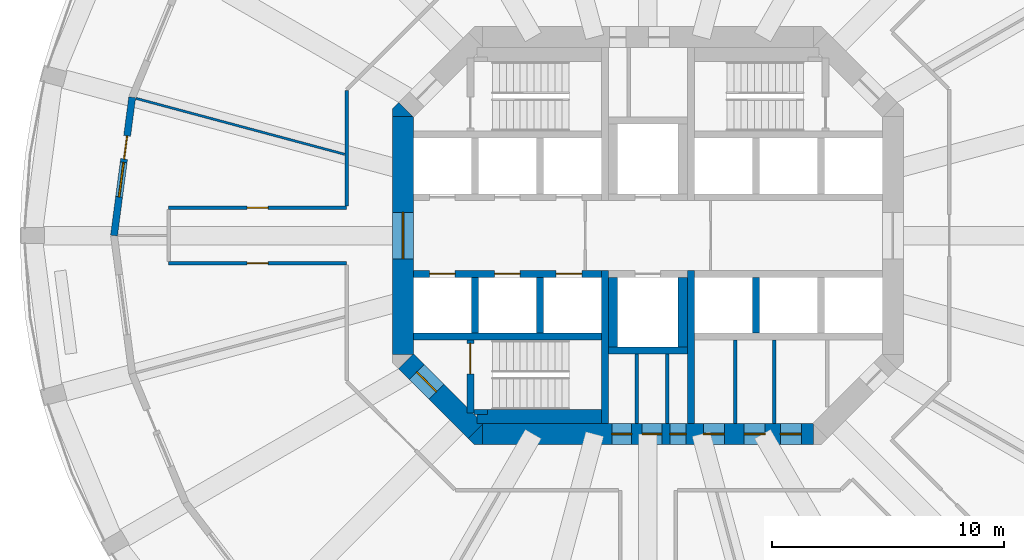
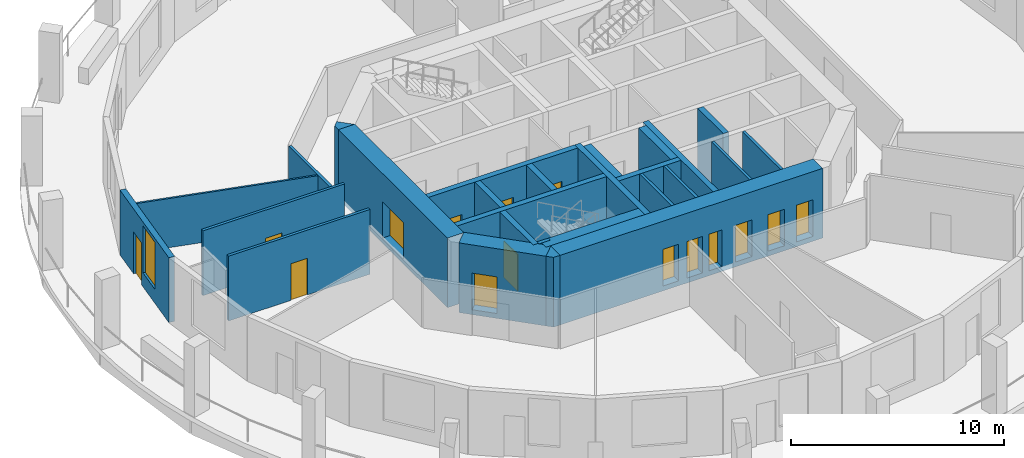
# One storey, part 3 of 9: 27 walls, 15 doors, 1 window, 16 openings.
"""IFC4 building model written with IfcOpenShell, lengths in metres."""

import ifcopenshell
import ifcopenshell.guid

model = None  # the IFC model being written
_history = None  # IfcOwnerHistory: only IFC2X3 demands one
_inside = {}  # id of a spatial element -> (the spatial element, [elements in it])
_under = {}  # id of a project, library or spatial element -> (it, [spatial elements below it])
_declared = {}  # id of a project -> (the project, [libraries it declares])
_typed = {}  # id of a type object -> (the type object, [elements of that type])
_made_of = {}  # id of a material, layer set ... -> (it, [elements and type objects made of it])


def new_model(schema):
    """Start an empty IFC model of exactly this schema.

    Asked for "IFC4X3", IfcOpenShell would pick the latest addendum, in which some entities
    have other attributes; the version numbers below select the first issue.
    IFC2X3 requires an IfcOwnerHistory on every rooted entity: one is made here for all.
    """
    global model, _history
    if schema == "IFC4X3":
        model = ifcopenshell.file(schema_version=(4, 3, 0, 0))
    else:
        model = ifcopenshell.file(schema=schema)
    _inside.clear()
    _under.clear()
    _declared.clear()
    _typed.clear()
    _made_of.clear()
    _history = None
    if model.schema == "IFC2X3":
        org = make("IfcOrganization", Name="unknown")
        user = make(
            "IfcPersonAndOrganization",
            ThePerson=make("IfcPerson", FamilyName="unknown"),
            TheOrganization=org,
        )
        app = make(
            "IfcApplication",
            ApplicationDeveloper=org,
            Version="unknown",
            ApplicationFullName="unknown",
            ApplicationIdentifier="unknown",
        )
        _history = make(
            "IfcOwnerHistory",
            OwningUser=user,
            OwningApplication=app,
            ChangeAction="ADDED",
            CreationDate=0,
        )
    return model


def make(cls, **values):
    """One entity of the class cls with the attributes given. An attribute that is None is left unset."""
    return model.create_entity(
        cls, **{name: value for name, value in values.items() if value is not None}
    )


def rooted(cls, **values):
    """An entity with a GlobalId (a new one), such as an element, a storey or a relation."""
    return make(cls, GlobalId=ifcopenshell.guid.new(), OwnerHistory=_history, **values)


def si_unit(unit_type, name, prefix=None):
    """IfcSIUnit, for example si_unit("LENGTHUNIT", "METRE", prefix="MILLI")."""
    return make("IfcSIUnit", UnitType=unit_type, Prefix=prefix, Name=name)


def assignment(units):
    """IfcUnitAssignment: the units of a project."""
    return None if units is None else make("IfcUnitAssignment", Units=units)


def point(xyz):
    """IfcCartesianPoint."""
    return None if xyz is None else make("IfcCartesianPoint", Coordinates=xyz)


def direction(xyz):
    """IfcDirection."""
    return None if xyz is None else make("IfcDirection", DirectionRatios=xyz)


def frame(location, z_axis=None, x_axis=None):
    """IfcAxis2Placement3D, a coordinate frame: its origin and axes. An axis left out is left unset."""
    return make(
        "IfcAxis2Placement3D",
        Location=point(location),
        Axis=direction(z_axis),
        RefDirection=direction(x_axis),
    )


def frame_2d(location, x_axis=None):
    """IfcAxis2Placement2D, a coordinate frame in the plane: its origin and x axis."""
    return make(
        "IfcAxis2Placement2D", Location=point(location), RefDirection=direction(x_axis)
    )


def origin():
    """The frame at (0, 0, 0) with its axes left unset."""
    return frame((0.0, 0.0, 0.0))


def place(relative_to, where):
    """IfcLocalPlacement: puts the frame where relative to a parent placement (None: the world)."""
    return make(
        "IfcLocalPlacement", PlacementRelTo=relative_to, RelativePlacement=where
    )


def context(
    kind, dimensions, precision=None, world=None, true_north=None, identifier=None
):
    """IfcGeometricRepresentationContext, for example the 3D "Model" context."""
    return make(
        "IfcGeometricRepresentationContext",
        ContextIdentifier=identifier,
        ContextType=kind,
        CoordinateSpaceDimension=dimensions,
        Precision=precision,
        WorldCoordinateSystem=world,
        TrueNorth=true_north,
    )


def subcontext(parent, identifier, kind, view, scale=None):
    """IfcGeometricRepresentationSubContext, for example "Body" below "Model"."""
    return make(
        "IfcGeometricRepresentationSubContext",
        ContextIdentifier=identifier,
        ContextType=kind,
        ParentContext=parent,
        TargetScale=scale,
        TargetView=view,
    )


def project(units=None, contexts=None):
    """IfcProject with its units and contexts."""
    return rooted(
        "IfcProject",
        Name="project",
        RepresentationContexts=contexts,
        UnitsInContext=assignment(units),
    )


def spatial(cls, under=None, at=None, **own):
    """A site, building, storey or space (cls), placed at a placement, below another one or the project."""
    s = rooted(cls, ObjectPlacement=at, **own)
    if under is not None:
        _under.setdefault(under.id(), (under, []))[1].append(s)
    return s


def polyline(points):
    """IfcPolyline through the points."""
    return make("IfcPolyline", Points=[point(p) for p in points])


def profile(cls, at=None, kind="AREA", **sizes):
    """A parametric profile (cls). Its sizes go by their IFC names, for example OverallWidth=200.0."""
    return make(cls, ProfileType=kind, Position=at, **sizes)


def rectangle(**sizes):
    """IfcRectangleProfileDef."""
    return profile("IfcRectangleProfileDef", **sizes)


def outline(outer, holes=None, kind="AREA"):
    """IfcArbitraryClosedProfileDef: a profile drawn as a closed curve; with holes, ...WithVoids."""
    if holes is None:
        return make("IfcArbitraryClosedProfileDef", ProfileType=kind, OuterCurve=outer)
    return make(
        "IfcArbitraryProfileDefWithVoids",
        ProfileType=kind,
        OuterCurve=outer,
        InnerCurves=holes,
    )


def extrude(swept, where, along, depth):
    """IfcExtrudedAreaSolid: the profile swept, set in the frame where, extruded along a direction by depth."""
    return make(
        "IfcExtrudedAreaSolid",
        SweptArea=swept,
        Position=where,
        ExtrudedDirection=direction(along),
        Depth=depth,
    )


def shape(context_of_items, identifier, shape_type, items):
    """IfcShapeRepresentation: the items that make up one representation, for example the "Body"."""
    return make(
        "IfcShapeRepresentation",
        ContextOfItems=context_of_items,
        RepresentationIdentifier=identifier,
        RepresentationType=shape_type,
        Items=items,
    )


def material(Name=None, Category=None):
    """IfcMaterial."""
    return make("IfcMaterial", Name=Name, Category=Category)


def layer(
    of_material, thickness, ventilated=None, Name=None, Category=None, Priority=None
):
    """IfcMaterialLayer: one layer of a wall or slab, of a material (None: an air gap)."""
    return make(
        "IfcMaterialLayer",
        Material=of_material,
        LayerThickness=thickness,
        IsVentilated=ventilated,
        Name=Name,
        Category=Category,
        Priority=Priority,
    )


def layer_set(layers, Name=None):
    """IfcMaterialLayerSet."""
    return make("IfcMaterialLayerSet", MaterialLayers=layers, LayerSetName=Name)


def made_of(thing, what):
    """Note that an element or type object is made of a material, layer set ...; save() writes the relation."""
    if what is not None:
        _made_of.setdefault(what.id(), (what, []))[1].append(thing)
    return thing


def type_object(cls, material=None, **own):
    """A type object (cls), such as IfcWallType, which elements share."""
    return made_of(rooted(cls, **own), material)


def element(
    cls,
    number,
    at=None,
    inside=None,
    cuts=None,
    type_object=None,
    material=None,
    context=None,
    identifier="Body",
    shape_type=None,
    held_by="IfcProductDefinitionShape",
    body=None,
    shapes=None,
    **own,
):
    """One element of the class cls, such as IfcWall. Its Tag is "e" and its number.

    at: its placement. inside: the storey or other place that contains it. cuts: it is an
    opening in that element (IfcRelVoidsElement). A single representation is given by context,
    identifier, shape_type and body (its items); several are given by shapes. held_by: the class
    of the entity that holds the representations. save() writes the other relations.
    """
    e = rooted(cls, Tag="e%d" % number, ObjectPlacement=at, **own)
    if body is not None:
        shapes = [shape(context, identifier, shape_type, body)]
    if shapes is not None:
        e.Representation = make(held_by, Representations=shapes)
    if inside is not None:
        _inside.setdefault(inside.id(), (inside, []))[1].append(e)
    if cuts is not None:
        rooted(
            "IfcRelVoidsElement", RelatingBuildingElement=cuts, RelatedOpeningElement=e
        )
    if type_object is not None:
        _typed.setdefault(type_object.id(), (type_object, []))[1].append(e)
    return made_of(e, material)


def fill(opening, filler):
    """IfcRelFillsElement: the door or window that sits in an opening."""
    return rooted(
        "IfcRelFillsElement",
        RelatingOpeningElement=opening,
        RelatedBuildingElement=filler,
    )


def aggregate(whole, parts):
    """IfcRelAggregates: a whole, such as a stair, and the parts it consists of."""
    return rooted("IfcRelAggregates", RelatingObject=whole, RelatedObjects=parts)


def save(model, path):
    """Write the relations noted so far, then the file.

    IfcRelAggregates (storeys below a building ...), IfcRelContainedInSpatialStructure (elements
    in a storey), IfcRelDefinesByType, IfcRelAssociatesMaterial and IfcRelDeclares: one each for
    every whole, place, type object, material and project.
    """
    for whole, parts in _under.values():
        aggregate(whole, parts)
    for where, things in _inside.values():
        rooted(
            "IfcRelContainedInSpatialStructure",
            RelatedElements=things,
            RelatingStructure=where,
        )
    for kind, things in _typed.values():
        rooted("IfcRelDefinesByType", RelatedObjects=things, RelatingType=kind)
    for what, things in _made_of.values():
        rooted("IfcRelAssociatesMaterial", RelatedObjects=things, RelatingMaterial=what)
    for by, libraries in _declared.values():
        rooted("IfcRelDeclares", RelatingContext=by, RelatedDefinitions=libraries)
    model.write(path)


model = new_model("IFC4")

# Units and contexts
model_context = context("Model", 3, precision=1e-05, world=origin(), true_north=direction((0.0, 1.0)))
body_context = subcontext(model_context, "Body", "Model", "MODEL_VIEW")
ifc_project = project(units=[si_unit("LENGTHUNIT", "METRE"), si_unit("AREAUNIT", "SQUARE_METRE"), si_unit("VOLUMEUNIT", "CUBIC_METRE"), si_unit("PLANEANGLEUNIT", "RADIAN"), si_unit("MASSUNIT", "GRAM", prefix="KILO")], contexts=[model_context])

# Site, building, storey
site_placement = place(None, origin())
site = spatial("IfcSite", under=ifc_project, at=site_placement, CompositionType="ELEMENT")
building_placement = place(site_placement, origin())
building = spatial("IfcBuilding", under=site, at=building_placement, Name="Torre Triforio", CompositionType="ELEMENT")
storey_placement = place(building_placement, frame((0.0, 0.0, 55.0)))
storey = spatial("IfcBuildingStorey", under=building, at=storey_placement, Name="L11", CompositionType="ELEMENT", Elevation=55.0)

# Walls
ifc_material_1 = material(Name="Concrete C60", Category="concrete")
ifc_layer_1 = layer(ifc_material_1, 0.300048828125)
ifc_layer_set_1 = layer_set([ifc_layer_1], Name="Concrete C60")
wall_type_1 = type_object("IfcWallType", Name="Core wall 300 mm C60 EI 120", PredefinedType="SHEAR", material=ifc_layer_set_1)
for number, where, z_axis, x_axis, name in (
    (1, (-1.85009765625, -8.10009765625, 0.0), (0.0, 0.0, 1.0), (0.0, 1.0, 0.0), "Core wall"),
    (2, (1.85009765625, -8.10009765625, 0.0), (0.0, 0.0, 1.0), (0.0, 1.0, 0.0), "Core wall"),
):
    element("IfcWall", number, at=place(storey_placement, frame(where, z_axis=z_axis, x_axis=x_axis)), inside=storey, type_object=wall_type_1, Name=name, PredefinedType="SHEAR", context=body_context, shape_type="SweptSolid", body=[
        extrude(rectangle(XDim=6.60009765625, YDim=0.300048828125, at=frame_2d((3.300048828125, 0.0))), origin(), (0.0, 0.0, 1.0), 3.719970703125),
    ])

# Wall, openings, doors
ifc_layer_2 = layer(ifc_material_1, 0.89990234375)
ifc_layer_set_2 = layer_set([ifc_layer_2], Name="Concrete C60")
wall_type_2 = type_object("IfcWallType", Name="Core wall 900 mm C60 EI 120", PredefinedType="SHEAR", material=ifc_layer_set_2)
wall_1_placement = place(storey_placement, frame((-7.1298828125, -8.550048828125, -0.280029296875), z_axis=(0.0, 0.0, 1.0), x_axis=(1.0, 0.0, 0.0)))
wall_1 = element("IfcWall", 3, at=wall_1_placement, inside=storey, type_object=wall_type_2, Name="Core wall", PredefinedType="SHEAR", context=body_context, shape_type="SweptSolid", body=[
    extrude(rectangle(XDim=14.259765625, YDim=0.89990234375, at=frame_2d((7.1298828125, 0.0))), origin(), (0.0, 0.0, 1.0), 4.0),
])
opening_1_placement = place(wall_1_placement, frame((8.080078125, 0.0, 0.280029296875)))
opening_1 = element("IfcOpeningElement", 4, at=opening_1_placement, cuts=wall_1, Name="Opening RISER-S", PredefinedType="OPENING", context=body_context, shape_type="SweptSolid", body=[
    extrude(rectangle(XDim=0.699951171875, YDim=2.10009765625, at=frame_2d((0.35009765625, 1.050048828125))), frame((0.0, 0.4599609375, 0.0), z_axis=(0.0, -1.0, 0.0), x_axis=(1.0, 0.0, 0.0)), (0.0, 0.0, 1.0), 0.919921875),
])
opening_2_placement = place(wall_1_placement, frame((5.580078125, 0.0, 0.280029296875)))
opening_2 = element("IfcOpeningElement", 5, at=opening_2_placement, cuts=wall_1, Name="Opening SW-01A", PredefinedType="OPENING", context=body_context, shape_type="SweptSolid", body=[
    extrude(rectangle(XDim=0.85009765625, YDim=2.10009765625, at=frame_2d((0.425048828125, 1.050048828125))), frame((0.0, 0.4599609375, 0.0), z_axis=(0.0, -1.0, 0.0), x_axis=(1.0, 0.0, 0.0)), (0.0, 0.0, 1.0), 0.919921875),
])
opening_3_placement = place(wall_1_placement, frame((6.8798828125, 0.0, 0.280029296875)))
opening_3 = element("IfcOpeningElement", 6, at=opening_3_placement, cuts=wall_1, Name="Opening SW-02", PredefinedType="OPENING", context=body_context, shape_type="SweptSolid", body=[
    extrude(rectangle(XDim=0.85009765625, YDim=2.10009765625, at=frame_2d((0.425048828125, 1.050048828125))), frame((0.0, 0.4599609375, 0.0), z_axis=(0.0, -1.0, 0.0), x_axis=(1.0, 0.0, 0.0)), (0.0, 0.0, 1.0), 0.919921875),
])
opening_4_placement = place(wall_1_placement, frame((9.521484375, 0.0, 0.280029296875)))
opening_4 = element("IfcOpeningElement", 7, at=opening_4_placement, cuts=wall_1, Name="Opening SE-01", PredefinedType="OPENING", context=body_context, shape_type="SweptSolid", body=[
    extrude(rectangle(XDim=0.89990234375, YDim=2.10009765625, at=frame_2d((0.449951171875, 1.050048828125))), frame((0.0, 0.4599609375, 0.0), z_axis=(0.0, -1.0, 0.0), x_axis=(1.0, 0.0, 0.0)), (0.0, 0.0, 1.0), 0.919921875),
])
opening_5_placement = place(wall_1_placement, frame((11.278076171875, 0.0, 0.280029296875)))
opening_5 = element("IfcOpeningElement", 8, at=opening_5_placement, cuts=wall_1, Name="Opening SE-02", PredefinedType="OPENING", context=body_context, shape_type="SweptSolid", body=[
    extrude(rectangle(XDim=0.89990234375, YDim=2.10009765625, at=frame_2d((0.449951171875, 1.050048828125))), frame((0.0, 0.4599609375, 0.0), z_axis=(0.0, -1.0, 0.0), x_axis=(1.0, 0.0, 0.0)), (0.0, 0.0, 1.0), 0.919921875),
])
opening_6_placement = place(wall_1_placement, frame((12.840087890625, 0.0, 0.280029296875)))
opening_6 = element("IfcOpeningElement", 9, at=opening_6_placement, cuts=wall_1, Name="Opening SE-03", PredefinedType="OPENING", context=body_context, shape_type="SweptSolid", body=[
    extrude(rectangle(XDim=0.89990234375, YDim=2.10009765625, at=frame_2d((0.449951171875, 1.050048828125))), frame((0.0, 0.4599609375, 0.0), z_axis=(0.0, -1.0, 0.0), x_axis=(1.0, 0.0, 0.0)), (0.0, 0.0, 1.0), 0.919921875),
])
ifc_material_2 = material(Name="Hollow metal fire door leaf")
door_type_1 = type_object("IfcDoorType", Name="Plant room door 900 x 2100 EI 60", OperationType="NOTDEFINED", PredefinedType="DOOR", material=ifc_material_2)
door_1_placement = place(opening_4_placement, origin())
door_1 = element("IfcDoor", 10, at=door_1_placement, inside=storey, type_object=door_type_1, Name="Core door SE-01", OperationType="SINGLE_SWING_LEFT", OverallHeight=2.10009765625, OverallWidth=0.89990234375, PredefinedType="DOOR", context=body_context, shape_type="SweptSolid", body=[
    extrude(rectangle(XDim=0.89990234375, YDim=2.10009765625, at=frame_2d((0.449951171875, 1.050048828125))), frame((0.0, 0.02490234375, 0.0), z_axis=(0.0, -1.0, 0.0), x_axis=(1.0, 0.0, 0.0)), (0.0, 0.0, 1.0), 0.050048828125),
])
fill(opening_4, door_1)
door_type_2 = type_object("IfcDoorType", Name="Riser door 700 x 2100 EI 60", OperationType="NOTDEFINED", PredefinedType="DOOR", material=ifc_material_2)
door_2_placement = place(opening_1_placement, origin())
door_2 = element("IfcDoor", 11, at=door_2_placement, inside=storey, type_object=door_type_2, Name="Core door RISER-S", OperationType="SINGLE_SWING_RIGHT", OverallHeight=2.10009765625, OverallWidth=0.699951171875, PredefinedType="DOOR", context=body_context, shape_type="SweptSolid", body=[
    extrude(rectangle(XDim=0.699951171875, YDim=2.10009765625, at=frame_2d((0.35009765625, 1.050048828125))), frame((0.0, 0.02490234375, 0.0), z_axis=(0.0, -1.0, 0.0), x_axis=(1.0, 0.0, 0.0)), (0.0, 0.0, 1.0), 0.050048828125),
])
fill(opening_1, door_2)
door_type_3 = type_object("IfcDoorType", Name="Room door 850 x 2100 EI 60", OperationType="NOTDEFINED", PredefinedType="DOOR", material=ifc_material_2)
door_3_placement = place(opening_2_placement, origin())
door_3 = element("IfcDoor", 12, at=door_3_placement, inside=storey, type_object=door_type_3, Name="Core door SW-01", OperationType="SINGLE_SWING_RIGHT", OverallHeight=2.10009765625, OverallWidth=0.85009765625, PredefinedType="DOOR", context=body_context, shape_type="SweptSolid", body=[
    extrude(rectangle(XDim=0.85009765625, YDim=2.10009765625, at=frame_2d((0.425048828125, 1.050048828125))), frame((0.0, 0.02490234375, 0.0), z_axis=(0.0, -1.0, 0.0), x_axis=(1.0, 0.0, 0.0)), (0.0, 0.0, 1.0), 0.050048828125),
])
fill(opening_2, door_3)
door_4_placement = place(opening_3_placement, origin())
door_4 = element("IfcDoor", 13, at=door_4_placement, inside=storey, type_object=door_type_3, Name="Core door SW-02", OperationType="SINGLE_SWING_LEFT", OverallHeight=2.10009765625, OverallWidth=0.85009765625, PredefinedType="DOOR", context=body_context, shape_type="SweptSolid", body=[
    extrude(rectangle(XDim=0.85009765625, YDim=2.10009765625, at=frame_2d((0.425048828125, 1.050048828125))), frame((0.0, 0.02490234375, 0.0), z_axis=(0.0, -1.0, 0.0), x_axis=(1.0, 0.0, 0.0)), (0.0, 0.0, 1.0), 0.050048828125),
])
fill(opening_3, door_4)
door_type_4 = type_object("IfcDoorType", Name="Room door 900 x 2100 EI 60", OperationType="NOTDEFINED", PredefinedType="DOOR", material=ifc_material_2)
door_5_placement = place(opening_5_placement, origin())
door_5 = element("IfcDoor", 14, at=door_5_placement, inside=storey, type_object=door_type_4, Name="Core door SE-02", OperationType="SINGLE_SWING_LEFT", OverallHeight=2.10009765625, OverallWidth=0.89990234375, PredefinedType="DOOR", context=body_context, shape_type="SweptSolid", body=[
    extrude(rectangle(XDim=0.89990234375, YDim=2.10009765625, at=frame_2d((0.449951171875, 1.050048828125))), frame((0.0, 0.02490234375, 0.0), z_axis=(0.0, -1.0, 0.0), x_axis=(1.0, 0.0, 0.0)), (0.0, 0.0, 1.0), 0.050048828125),
])
fill(opening_5, door_5)
door_6_placement = place(opening_6_placement, origin())
door_6 = element("IfcDoor", 15, at=door_6_placement, inside=storey, type_object=door_type_4, Name="Core door SE-03", OperationType="SINGLE_SWING_LEFT", OverallHeight=2.10009765625, OverallWidth=0.89990234375, PredefinedType="DOOR", context=body_context, shape_type="SweptSolid", body=[
    extrude(rectangle(XDim=0.89990234375, YDim=2.10009765625, at=frame_2d((0.449951171875, 1.050048828125))), frame((0.0, 0.02490234375, 0.0), z_axis=(0.0, -1.0, 0.0), x_axis=(1.0, 0.0, 0.0)), (0.0, 0.0, 1.0), 0.050048828125),
])
fill(opening_6, door_6)

# Wall, opening, door
wall_2_placement = place(storey_placement, frame((-10.550048828125, -5.1298828125, -0.280029296875), z_axis=(0.0, 0.0, 1.0), x_axis=(0.0, 1.0, 0.0)))
wall_2 = element("IfcWall", 16, at=wall_2_placement, inside=storey, type_object=wall_type_2, Name="Core wall", PredefinedType="SHEAR", context=body_context, shape_type="SweptSolid", body=[
    extrude(rectangle(XDim=10.259765625, YDim=0.89990234375, at=frame_2d((5.1298828125, 0.0))), origin(), (0.0, 0.0, 1.0), 4.0),
])
opening_7_placement = place(wall_2_placement, frame((4.1298828125, 0.0, 0.280029296875)))
opening_7 = element("IfcOpeningElement", 17, at=opening_7_placement, cuts=wall_2, Name="Opening W-RING", PredefinedType="OPENING", context=body_context, shape_type="SweptSolid", body=[
    extrude(rectangle(XDim=2.0, YDim=2.10009765625, at=frame_2d((1.0, 1.050048828125))), frame((0.0, 0.4599609375, 0.0), z_axis=(0.0, -1.0, 0.0), x_axis=(1.0, 0.0, 0.0)), (0.0, 0.0, 1.0), 0.919921875),
])
door_type_5 = type_object("IfcDoorType", Name="Lobby door 2000 x 2100 EI 60", OperationType="DOUBLE_DOOR_SINGLE_SWING", PredefinedType="DOOR", material=ifc_material_2)
door_7_placement = place(opening_7_placement, origin())
door_7 = element("IfcDoor", 18, at=door_7_placement, inside=storey, type_object=door_type_5, Name="Core door W-RING", OperationType="DOUBLE_DOOR_SINGLE_SWING", OverallHeight=2.10009765625, OverallWidth=2.0, PredefinedType="DOOR", context=body_context, shape_type="SweptSolid", body=[
    extrude(rectangle(XDim=2.0, YDim=2.10009765625, at=frame_2d((1.0, 1.050048828125))), frame((0.0, 0.02490234375, 0.0), z_axis=(0.0, -1.0, 0.0), x_axis=(1.0, 0.0, 0.0)), (0.0, 0.0, 1.0), 0.050048828125),
])
fill(opening_7, door_7)

wall_3_placement = place(storey_placement, frame((-7.418212890625, -8.418212890625, -0.280029296875), z_axis=(0.0, 0.0, 1.0), x_axis=(-0.707106781187, 0.707106781187, 0.0)))
wall_3 = element("IfcWall", 19, at=wall_3_placement, inside=storey, type_object=wall_type_2, Name="Core wall", PredefinedType="SHEAR", context=body_context, shape_type="SweptSolid", body=[
    extrude(rectangle(XDim=4.24267578125, YDim=0.89990234375, at=frame_2d((2.121337890625, 0.0))), origin(), (0.0, 0.0, 1.0), 4.0),
])
opening_8_placement = place(wall_3_placement, frame((2.392578125, 0.0, 0.280029296875)))
opening_8 = element("IfcOpeningElement", 20, at=opening_8_placement, cuts=wall_3, Name="Opening ST3-EXIT", PredefinedType="OPENING", context=body_context, shape_type="SweptSolid", body=[
    extrude(rectangle(XDim=1.199951171875, YDim=2.10009765625, at=frame_2d((0.60009765625, 1.050048828125))), frame((0.0, 0.4599609375, 0.0), z_axis=(0.0, -1.0, 0.0), x_axis=(1.0, 0.0, 0.0)), (0.0, 0.0, 1.0), 0.919921875),
])
door_type_6 = type_object("IfcDoorType", Name="Stair lobby door 1200 x 2100 EI 60", OperationType="NOTDEFINED", PredefinedType="DOOR", material=ifc_material_2)
door_8_placement = place(opening_8_placement, origin())
door_8 = element("IfcDoor", 21, at=door_8_placement, inside=storey, type_object=door_type_6, Name="Core door ST3-EXIT", OperationType="SINGLE_SWING_RIGHT", OverallHeight=2.10009765625, OverallWidth=1.199951171875, PredefinedType="DOOR", context=body_context, shape_type="SweptSolid", body=[
    extrude(rectangle(XDim=1.199951171875, YDim=2.10009765625, at=frame_2d((0.60009765625, 1.050048828125))), frame((0.0, 0.02490234375, 0.0), z_axis=(0.0, -1.0, 0.0), x_axis=(1.0, 0.0, 0.0)), (0.0, 0.0, 1.0), 0.050048828125),
])
fill(opening_8, door_8)

# Walls
wall_4_placement = place(storey_placement, frame((0.0, 0.0, -0.280029296875)))
element("IfcWall", 22, at=wall_4_placement, inside=storey, type_object=wall_type_2, Name="Core wall", PredefinedType="SHEAR", context=body_context, shape_type="SweptSolid", body=[
    extrude(outline(polyline([(-7.472900390625, -9.0), (-7.736328125, -8.736328125), (-7.1298828125, -8.1298828125), (-7.1298828125, -9.0), (-7.472900390625, -9.0)])), origin(), (0.0, 0.0, 1.0), 4.0),
])
wall_5_placement = place(storey_placement, frame((0.0, 0.0, -0.280029296875)))
element("IfcWall", 23, at=wall_5_placement, inside=storey, type_object=wall_type_2, Name="Core wall", PredefinedType="SHEAR", context=body_context, shape_type="SweptSolid", body=[
    extrude(outline(polyline([(-10.736328125, 5.736328125), (-10.1298828125, 5.1298828125), (-11.0, 5.1298828125), (-11.0, 5.472900390625), (-10.736328125, 5.736328125)])), origin(), (0.0, 0.0, 1.0), 4.0),
])

# Wall, opening, door
ifc_material_3 = material(Name="Plasterboard on metal studs")
ifc_layer_3 = layer(ifc_material_3, 0.14990234375)
ifc_layer_set_3 = layer_set([ifc_layer_3], Name="Plasterboard on metal studs")
wall_type_3 = type_object("IfcWallType", Name="Corridor and tenancy wall 150 mm EI 60", PredefinedType="PARTITIONING", material=ifc_layer_set_3)
wall_6_placement = place(storey_placement, frame((-12.97509765625, -1.199951171875, 0.0), z_axis=(0.0, 0.0, 1.0), x_axis=(-1.0, 0.0, 0.0)))
wall_6 = element("IfcWall", 24, at=wall_6_placement, inside=storey, type_object=wall_type_3, Name="Partition 11", PredefinedType="PARTITIONING", context=body_context, shape_type="SweptSolid", body=[
    extrude(rectangle(XDim=7.673583984375, YDim=0.14990234375, at=frame_2d((3.8369140625, 0.0))), origin(), (0.0, 0.0, 1.0), 3.719970703125),
])
opening_9_placement = place(wall_6_placement, frame((3.386962890625, 0.0, 0.0)))
opening_9 = element("IfcOpeningElement", 25, at=opening_9_placement, cuts=wall_6, Name="Opening N3-03", PredefinedType="OPENING", context=body_context, shape_type="SweptSolid", body=[
    extrude(rectangle(XDim=0.89990234375, YDim=2.10009765625, at=frame_2d((0.449951171875, 1.050048828125))), frame((0.0, 0.0849609375, 0.0), z_axis=(0.0, -1.0, 0.0), x_axis=(1.0, 0.0, 0.0)), (0.0, 0.0, 1.0), 0.169921875),
])
ifc_material_4 = material(Name="Timber", Category="wood")
door_type_7 = type_object("IfcDoorType", Name="Door 900 x 2100 single leaf EI 30", OperationType="NOTDEFINED", PredefinedType="DOOR", material=ifc_material_4)
door_9_placement = place(opening_9_placement, origin())
door_9 = element("IfcDoor", 26, at=door_9_placement, inside=storey, type_object=door_type_7, Name="Door N3-03", OperationType="SINGLE_SWING_RIGHT", OverallHeight=2.10009765625, OverallWidth=0.89990234375, PredefinedType="DOOR", context=body_context, shape_type="SweptSolid", body=[
    extrude(rectangle(XDim=0.89990234375, YDim=2.10009765625, at=frame_2d((0.449951171875, 1.050048828125))), frame((0.0, 0.02490234375, 0.0), z_axis=(0.0, -1.0, 0.0), x_axis=(1.0, 0.0, 0.0)), (0.0, 0.0, 1.0), 0.050048828125),
])
fill(opening_9, door_9)

wall_7_placement = place(storey_placement, frame((-20.648681640625, 1.199951171875, 0.0), z_axis=(0.0, 0.0, 1.0), x_axis=(1.0, 0.0, 0.0)))
wall_7 = element("IfcWall", 27, at=wall_7_placement, inside=storey, type_object=wall_type_3, Name="Partition 13", PredefinedType="PARTITIONING", context=body_context, shape_type="SweptSolid", body=[
    extrude(rectangle(XDim=7.673583984375, YDim=0.14990234375, at=frame_2d((3.8369140625, 0.0))), origin(), (0.0, 0.0, 1.0), 3.719970703125),
])
opening_10_placement = place(wall_7_placement, frame((3.386962890625, 0.0, 0.0)))
opening_10 = element("IfcOpeningElement", 28, at=opening_10_placement, cuts=wall_7, Name="Opening N3-02", PredefinedType="OPENING", context=body_context, shape_type="SweptSolid", body=[
    extrude(rectangle(XDim=0.89990234375, YDim=2.10009765625, at=frame_2d((0.449951171875, 1.050048828125))), frame((0.0, 0.0849609375, 0.0), z_axis=(0.0, -1.0, 0.0), x_axis=(1.0, 0.0, 0.0)), (0.0, 0.0, 1.0), 0.169921875),
])
door_10_placement = place(opening_10_placement, origin())
door_10 = element("IfcDoor", 29, at=door_10_placement, inside=storey, type_object=door_type_7, Name="Door N3-02", OperationType="SINGLE_SWING_RIGHT", OverallHeight=2.10009765625, OverallWidth=0.89990234375, PredefinedType="DOOR", context=body_context, shape_type="SweptSolid", body=[
    extrude(rectangle(XDim=0.89990234375, YDim=2.10009765625, at=frame_2d((0.449951171875, 1.050048828125))), frame((0.0, 0.02490234375, 0.0), z_axis=(0.0, -1.0, 0.0), x_axis=(1.0, 0.0, 0.0)), (0.0, 0.0, 1.0), 0.050048828125),
])
fill(opening_10, door_10)

# Walls
wall_8_placement = place(storey_placement, frame((-12.97509765625, 1.27490234375, 0.0), z_axis=(0.0, 0.0, 1.0), x_axis=(0.0, 1.0, 0.0)))
element("IfcWall", 30, at=wall_8_placement, inside=storey, type_object=wall_type_3, Name="Partition 14", PredefinedType="PARTITIONING", context=body_context, shape_type="SweptSolid", body=[
    extrude(rectangle(XDim=4.96337890625, YDim=0.14990234375, at=frame_2d((2.481689453125, 0.0))), origin(), (0.0, 0.0, 1.0), 2.820068359375),
])
ifc_layer_4 = layer(ifc_material_3, 0.10009765625)
ifc_layer_set_4 = layer_set([ifc_layer_4], Name="Plasterboard on metal studs")
wall_type_4 = type_object("IfcWallType", Name="Partition 100 mm board on metal studs", PredefinedType="PARTITIONING", material=ifc_layer_set_4)
wall_9_placement = place(storey_placement, frame((-13.064208984375, 3.50048828125, 0.0), z_axis=(0.0, 0.0, 1.0), x_axis=(-0.965922655056, 0.258830880017, 0.0)))
element("IfcWall", 31, at=wall_9_placement, inside=storey, type_object=wall_type_4, Name="Partition 36", PredefinedType="PARTITIONING", context=body_context, shape_type="SweptSolid", body=[
    extrude(rectangle(XDim=9.311767578125, YDim=0.10009765625, at=frame_2d((4.65576171875, 0.0))), origin(), (0.0, 0.0, 1.0), 2.820068359375),
])
ifc_material_5 = material(Name="Block and board partition")
ifc_layer_5 = layer(ifc_material_5, 0.14990234375)
ifc_layer_set_5 = layer_set([ifc_layer_5], Name="Block and board partition")
wall_type_5 = type_object("IfcWallType", Name="Partition 150 mm", PredefinedType="PARTITIONING", material=ifc_layer_set_5)
wall_10_placement = place(storey_placement, frame((-0.47509765625, -8.10009765625, 0.0), z_axis=(0.0, 0.0, 1.0), x_axis=(0.0, 1.0, 0.0)))
element("IfcWall", 32, at=wall_10_placement, inside=storey, type_object=wall_type_5, Name="Partition", PredefinedType="PARTITIONING", context=body_context, shape_type="SweptSolid", body=[
    extrude(rectangle(XDim=3.0, YDim=0.14990234375, at=frame_2d((1.5, 0.0))), origin(), (0.0, 0.0, 1.0), 3.719970703125),
])
for number, where, z_axis, x_axis, name in (
    (33, (3.758056640625, -8.10009765625, 0.0), (0.0, 0.0, 1.0), (0.0, 1.0, 0.0), "Partition"),
    (34, (5.43798828125, -8.10009765625, 0.0), (0.0, 0.0, 1.0), (0.0, 1.0, 0.0), "Partition"),
):
    element("IfcWall", number, at=place(storey_placement, frame(where, z_axis=z_axis, x_axis=x_axis)), inside=storey, type_object=wall_type_5, Name=name, PredefinedType="PARTITIONING", context=body_context, shape_type="SweptSolid", body=[
        extrude(rectangle(XDim=3.60009765625, YDim=0.14990234375, at=frame_2d((1.800048828125, 0.0))), origin(), (0.0, 0.0, 1.0), 3.719970703125),
    ])
ifc_layer_6 = layer(ifc_material_5, 0.14990234375)
ifc_layer_set_6 = layer_set([ifc_layer_6], Name="Block and board partition")
wall_type_6 = type_object("IfcWallType", Name="Partition 150 mm EI 120", PredefinedType="PARTITIONING", material=ifc_layer_set_6)
wall_11_placement = place(storey_placement, frame((0.824951171875, -8.10009765625, 0.0), z_axis=(0.0, 0.0, 1.0), x_axis=(0.0, 1.0, 0.0)))
element("IfcWall", 35, at=wall_11_placement, inside=storey, type_object=wall_type_6, Name="Partition", PredefinedType="PARTITIONING", context=body_context, shape_type="SweptSolid", body=[
    extrude(rectangle(XDim=3.0, YDim=0.14990234375, at=frame_2d((1.5, 0.0))), origin(), (0.0, 0.0, 1.0), 3.719970703125),
])
ifc_layer_7 = layer(ifc_material_1, 0.300048828125)
ifc_layer_set_7 = layer_set([ifc_layer_7], Name="Concrete C60")
wall_type_7 = type_object("IfcWallType", Name="Shaft wall 300 mm C60 EI 120", PredefinedType="SOLIDWALL", material=ifc_layer_set_7)
wall_12_placement = place(storey_placement, frame((-10.10009765625, -4.35009765625, 0.0), z_axis=(0.0, 0.0, 1.0), x_axis=(1.0, 0.0, 0.0)))
element("IfcWall", 36, at=wall_12_placement, inside=storey, type_object=wall_type_7, Name="Shaft wall", PredefinedType="SOLIDWALL", context=body_context, shape_type="SweptSolid", body=[
    extrude(rectangle(XDim=8.10009765625, YDim=0.300048828125, at=frame_2d((4.050048828125, 0.0))), origin(), (0.0, 0.0, 1.0), 3.719970703125),
])

# Wall, openings, doors
wall_13_placement = place(storey_placement, frame((-10.10009765625, -1.64990234375, 0.0), z_axis=(0.0, 0.0, 1.0), x_axis=(1.0, 0.0, 0.0)))
wall_13 = element("IfcWall", 37, at=wall_13_placement, inside=storey, type_object=wall_type_7, Name="Shaft wall", PredefinedType="SOLIDWALL", context=body_context, shape_type="SweptSolid", body=[
    extrude(rectangle(XDim=8.10009765625, YDim=0.300048828125, at=frame_2d((4.050048828125, 0.0))), origin(), (0.0, 0.0, 1.0), 3.719970703125),
])
opening_11_placement = place(wall_13_placement, frame((0.699951171875, 0.0, 0.0)))
opening_11 = element("IfcOpeningElement", 38, at=opening_11_placement, cuts=wall_13, Name="Opening LD", PredefinedType="OPENING", context=body_context, shape_type="SweptSolid", body=[
    extrude(rectangle(XDim=1.10009765625, YDim=2.10009765625, at=frame_2d((0.550048828125, 1.050048828125))), frame((0.0, 0.159912109375, 0.0), z_axis=(0.0, -1.0, 0.0), x_axis=(1.0, 0.0, 0.0)), (0.0, 0.0, 1.0), 0.320068359375),
])
opening_12_placement = place(wall_13_placement, frame((3.5, 0.0, 0.0)))
opening_12 = element("IfcOpeningElement", 39, at=opening_12_placement, cuts=wall_13, Name="Opening LD", PredefinedType="OPENING", context=body_context, shape_type="SweptSolid", body=[
    extrude(rectangle(XDim=1.10009765625, YDim=2.10009765625, at=frame_2d((0.550048828125, 1.050048828125))), frame((0.0, 0.159912109375, 0.0), z_axis=(0.0, -1.0, 0.0), x_axis=(1.0, 0.0, 0.0)), (0.0, 0.0, 1.0), 0.320068359375),
])
opening_13_placement = place(wall_13_placement, frame((6.14990234375, 0.0, 0.0)))
opening_13 = element("IfcOpeningElement", 40, at=opening_13_placement, cuts=wall_13, Name="Opening LD", PredefinedType="OPENING", context=body_context, shape_type="SweptSolid", body=[
    extrude(rectangle(XDim=1.10009765625, YDim=2.10009765625, at=frame_2d((0.550048828125, 1.050048828125))), frame((0.0, 0.159912109375, 0.0), z_axis=(0.0, -1.0, 0.0), x_axis=(1.0, 0.0, 0.0)), (0.0, 0.0, 1.0), 0.320068359375),
])
door_type_8 = type_object("IfcDoorType", Name="Landing door 1100 x 2100 EI 60", OperationType="DOUBLE_DOOR_SLIDING", PredefinedType="DOOR", material=ifc_material_2)
door_11_placement = place(opening_11_placement, origin())
door_11 = element("IfcDoor", 41, at=door_11_placement, inside=storey, type_object=door_type_8, Name="Landing door LR4", OperationType="DOUBLE_DOOR_SLIDING", OverallHeight=2.10009765625, OverallWidth=1.10009765625, PredefinedType="DOOR", context=body_context, shape_type="SweptSolid", body=[
    extrude(rectangle(XDim=1.10009765625, YDim=2.10009765625, at=frame_2d((0.550048828125, 1.050048828125))), frame((0.0, 0.02490234375, 0.0), z_axis=(0.0, -1.0, 0.0), x_axis=(1.0, 0.0, 0.0)), (0.0, 0.0, 1.0), 0.050048828125),
])
fill(opening_11, door_11)
door_12_placement = place(opening_12_placement, origin())
door_12 = element("IfcDoor", 42, at=door_12_placement, inside=storey, type_object=door_type_8, Name="Landing door LR5", OperationType="DOUBLE_DOOR_SLIDING", OverallHeight=2.10009765625, OverallWidth=1.10009765625, PredefinedType="DOOR", context=body_context, shape_type="SweptSolid", body=[
    extrude(rectangle(XDim=1.10009765625, YDim=2.10009765625, at=frame_2d((0.550048828125, 1.050048828125))), frame((0.0, 0.02490234375, 0.0), z_axis=(0.0, -1.0, 0.0), x_axis=(1.0, 0.0, 0.0)), (0.0, 0.0, 1.0), 0.050048828125),
])
fill(opening_12, door_12)
door_13_placement = place(opening_13_placement, origin())
door_13 = element("IfcDoor", 43, at=door_13_placement, inside=storey, type_object=door_type_8, Name="Landing door LR6", OperationType="DOUBLE_DOOR_SLIDING", OverallHeight=2.10009765625, OverallWidth=1.10009765625, PredefinedType="DOOR", context=body_context, shape_type="SweptSolid", body=[
    extrude(rectangle(XDim=1.10009765625, YDim=2.10009765625, at=frame_2d((0.550048828125, 1.050048828125))), frame((0.0, 0.02490234375, 0.0), z_axis=(0.0, -1.0, 0.0), x_axis=(1.0, 0.0, 0.0)), (0.0, 0.0, 1.0), 0.050048828125),
])
fill(opening_13, door_13)

# Walls
for number, where, z_axis, x_axis, name in (
    (44, (-7.449951171875, -4.199951171875, 0.0), (0.0, 0.0, 1.0), (0.0, 1.0, 0.0), "Shaft wall"),
    (45, (-4.64990234375, -4.199951171875, 0.0), (0.0, 0.0, 1.0), (0.0, 1.0, 0.0), "Shaft wall"),
    (46, (4.64990234375, -4.199951171875, 0.0), (0.0, 0.0, 1.0), (0.0, 1.0, 0.0), "Shaft wall"),
):
    element("IfcWall", number, at=place(storey_placement, frame(where, z_axis=z_axis, x_axis=x_axis)), inside=storey, type_object=wall_type_7, Name=name, PredefinedType="SOLIDWALL", context=body_context, shape_type="SweptSolid", body=[
        extrude(rectangle(XDim=2.39990234375, YDim=0.300048828125, at=frame_2d((1.199951171875, 0.0))), origin(), (0.0, 0.0, 1.0), 3.719970703125),
    ])
wall_14_placement = place(storey_placement, frame((-1.699951171875, -4.949951171875, 0.0), z_axis=(0.0, 0.0, 1.0), x_axis=(1.0, 0.0, 0.0)))
element("IfcWall", 47, at=wall_14_placement, inside=storey, type_object=wall_type_7, Name="Shaft wall", PredefinedType="SOLIDWALL", context=body_context, shape_type="SweptSolid", body=[
    extrude(rectangle(XDim=3.39990234375, YDim=0.300048828125, at=frame_2d((1.699951171875, 0.0))), origin(), (0.0, 0.0, 1.0), 3.719970703125),
])
ifc_layer_8 = layer(ifc_material_1, 0.39990234375)
ifc_layer_set_8 = layer_set([ifc_layer_8], Name="Concrete C60")
wall_type_8 = type_object("IfcWallType", Name="Shaft wall 400 mm C60 EI 120", PredefinedType="SOLIDWALL", material=ifc_layer_set_8)
for number, where, z_axis, x_axis, name in (
    (48, (-1.5, -4.800048828125, 0.0), (0.0, 0.0, 1.0), (0.0, 1.0, 0.0), "Shaft wall"),
    (49, (1.5, -4.800048828125, 0.0), (0.0, 0.0, 1.0), (0.0, 1.0, 0.0), "Shaft wall"),
):
    element("IfcWall", number, at=place(storey_placement, frame(where, z_axis=z_axis, x_axis=x_axis)), inside=storey, type_object=wall_type_8, Name=name, PredefinedType="SOLIDWALL", context=body_context, shape_type="SweptSolid", body=[
        extrude(rectangle(XDim=3.0, YDim=0.39990234375, at=frame_2d((1.5, 0.0))), origin(), (0.0, 0.0, 1.0), 3.719970703125),
    ])
ifc_layer_9 = layer(ifc_material_1, 0.199951171875)
ifc_layer_set_9 = layer_set([ifc_layer_9], Name="Concrete C60")
wall_type_9 = type_object("IfcWallType", Name="Stair wall 200 mm C60 EI 120", PredefinedType="SHEAR", material=ifc_layer_set_9)
wall_15_placement = place(storey_placement, frame((-7.5, -7.60009765625, 0.0), z_axis=(0.0, 0.0, 1.0), x_axis=(1.0, 0.0, 0.0)))
element("IfcWall", 50, at=wall_15_placement, inside=storey, type_object=wall_type_9, Name="Stair wall", PredefinedType="SHEAR", context=body_context, shape_type="SweptSolid", body=[
    extrude(rectangle(XDim=0.60009765625, YDim=0.199951171875, at=frame_2d((0.300048828125, 0.0))), origin(), (0.0, 0.0, 1.0), 3.719970703125),
])

# Wall, opening, door
ifc_layer_10 = layer(ifc_material_1, 0.300048828125)
ifc_layer_set_10 = layer_set([ifc_layer_10], Name="Concrete C60")
wall_type_10 = type_object("IfcWallType", Name="Stair wall 300 mm C60 EI 120", PredefinedType="SHEAR", material=ifc_layer_set_10)
wall_16_placement = place(storey_placement, frame((-7.64990234375, -7.639892578125, 0.0), z_axis=(0.0, 0.0, 1.0), x_axis=(0.0, 1.0, 0.0)))
wall_16 = element("IfcWall", 51, at=wall_16_placement, inside=storey, type_object=wall_type_10, Name="Stair wall", PredefinedType="SHEAR", context=body_context, shape_type="SweptSolid", body=[
    extrude(rectangle(XDim=3.139892578125, YDim=0.300048828125, at=frame_2d((1.56982421875, 0.0))), origin(), (0.0, 0.0, 1.0), 3.719970703125),
])
opening_14_placement = place(wall_16_placement, frame((1.679931640625, 0.0, 0.0)))
opening_14 = element("IfcOpeningElement", 52, at=opening_14_placement, cuts=wall_16, Name="Opening ST3-STA", PredefinedType="OPENING", context=body_context, shape_type="SweptSolid", body=[
    extrude(rectangle(XDim=1.320068359375, YDim=2.10009765625, at=frame_2d((0.66015625, 1.050048828125))), frame((0.0, 0.159912109375, 0.0), z_axis=(0.0, -1.0, 0.0), x_axis=(1.0, 0.0, 0.0)), (0.0, 0.0, 1.0), 0.320068359375),
])
door_type_9 = type_object("IfcDoorType", Name="Stair door 1320 x 2100 EI 90", OperationType="DOUBLE_DOOR_SINGLE_SWING", PredefinedType="DOOR", material=ifc_material_2)
door_14_placement = place(opening_14_placement, origin())
door_14 = element("IfcDoor", 53, at=door_14_placement, inside=storey, type_object=door_type_9, Name="Core door ST3-ST", OperationType="DOUBLE_DOOR_SINGLE_SWING", OverallHeight=2.10009765625, OverallWidth=1.320068359375, PredefinedType="DOOR", context=body_context, shape_type="SweptSolid", body=[
    extrude(rectangle(XDim=1.320068359375, YDim=2.10009765625, at=frame_2d((0.66015625, 1.050048828125))), frame((0.0, 0.02490234375, 0.0), z_axis=(0.0, -1.0, 0.0), x_axis=(1.0, 0.0, 0.0)), (0.0, 0.0, 1.0), 0.050048828125),
])
fill(opening_14, door_14)

# Wall
ifc_layer_11 = layer(ifc_material_1, 0.60009765625)
ifc_layer_set_11 = layer_set([ifc_layer_11], Name="Concrete C60")
wall_type_11 = type_object("IfcWallType", Name="Stair wall 600 mm C60 EI 120", PredefinedType="SHEAR", material=ifc_layer_set_11)
wall_17_placement = place(storey_placement, frame((-7.3701171875, -7.800048828125, 0.0), z_axis=(0.0, 0.0, 1.0), x_axis=(1.0, 0.0, 0.0)))
element("IfcWall", 54, at=wall_17_placement, inside=storey, type_object=wall_type_11, Name="Stair wall", PredefinedType="SHEAR", context=body_context, shape_type="SweptSolid", body=[
    extrude(rectangle(XDim=5.3701171875, YDim=0.60009765625, at=frame_2d((2.68505859375, 0.0))), origin(), (0.0, 0.0, 1.0), 3.719970703125),
])

# Wall, openings, door, window
ifc_material_6 = material(Name="Limestone cladding", Category="masonry")
ifc_layer_12 = layer(ifc_material_6, 0.10009765625)
ifc_material_7 = material(Name="Concrete C40", Category="concrete")
ifc_layer_13 = layer(ifc_material_7, 0.199951171875)
ifc_layer_set_12 = layer_set([ifc_layer_12, ifc_layer_13], Name="Limestone cladding / Concrete C40")
wall_type_12 = type_object("IfcWallType", Name="Stone-faced composite wall 300", PredefinedType="STANDARD", material=ifc_layer_set_12)
wall_18_placement = place(storey_placement, frame((-22.21630859375, 5.952880859375, 0.0), z_axis=(0.0, 0.0, 1.0), x_axis=(-0.130522880875, -0.991445297315, 0.0)))
wall_18 = element("IfcWall", 55, at=wall_18_placement, inside=storey, type_object=wall_type_12, Name="External wall L11 bay 12", PredefinedType="STANDARD", context=body_context, shape_type="SweptSolid", body=[
    extrude(rectangle(XDim=6.004150390625, YDim=0.300048828125, at=frame_2d((3.001953125, 0.0))), origin(), (0.0, 0.0, 1.0), 3.719970703125),
])
opening_15_placement = place(wall_18_placement, frame((1.677001953125, 0.0, 0.0)))
opening_15 = element("IfcOpeningElement", 56, at=opening_15_placement, cuts=wall_18, Name="Opening N3-D12", PredefinedType="OPENING", context=body_context, shape_type="SweptSolid", body=[
    extrude(rectangle(XDim=1.0, YDim=2.39990234375, at=frame_2d((0.5, 1.199951171875))), frame((0.0, 0.159912109375, 0.0), z_axis=(0.0, -1.0, 0.0), x_axis=(1.0, 0.0, 0.0)), (0.0, 0.0, 1.0), 0.320068359375),
])
opening_16_placement = place(wall_18_placement, frame((2.8271484375, 0.0, 0.800048828125)))
opening_16 = element("IfcOpeningElement", 57, at=opening_16_placement, cuts=wall_18, Name="Opening N3-W12A", PredefinedType="OPENING", context=body_context, shape_type="SweptSolid", body=[
    extrude(rectangle(XDim=1.5, YDim=2.699951171875, at=frame_2d((0.75, 1.35009765625))), frame((0.0, 0.159912109375, 0.0), z_axis=(0.0, -1.0, 0.0), x_axis=(1.0, 0.0, 0.0)), (0.0, 0.0, 1.0), 0.320068359375),
])
ifc_material_8 = material(Name="Aluminium frame with clear double glazing", Category="aluminium")
door_type_10 = type_object("IfcDoorType", Name="Loggia door 1000 x 2400", OperationType="NOTDEFINED", PredefinedType="DOOR", material=ifc_material_8)
door_15_placement = place(opening_15_placement, origin())
door_15 = element("IfcDoor", 58, at=door_15_placement, inside=storey, type_object=door_type_10, Name="Loggia door L11 bay 12", OperationType="SINGLE_SWING_LEFT", OverallHeight=2.39990234375, OverallWidth=1.0, PredefinedType="DOOR", context=body_context, shape_type="SweptSolid", body=[
    extrude(rectangle(XDim=1.0, YDim=2.39990234375, at=frame_2d((0.5, 1.199951171875))), frame((0.0, 0.02490234375, 0.0), z_axis=(0.0, -1.0, 0.0), x_axis=(1.0, 0.0, 0.0)), (0.0, 0.0, 1.0), 0.050048828125),
])
fill(opening_15, door_15)
window_type = type_object("IfcWindowType", Name="Side window 1500 x 2700", PartitioningType="SINGLE_PANEL", PredefinedType="WINDOW", material=ifc_material_8)
window_placement = place(opening_16_placement, origin())
window = element("IfcWindow", 59, at=window_placement, inside=storey, type_object=window_type, Name="Side window EWN12 L11 bay 12", OverallHeight=2.699951171875, OverallWidth=1.5, PartitioningType="SINGLE_PANEL", PredefinedType="WINDOW", context=body_context, shape_type="SweptSolid", body=[
    extrude(rectangle(XDim=1.5, YDim=2.699951171875, at=frame_2d((0.75, 1.35009765625))), frame((0.0, 0.030029296875, 0.0), z_axis=(0.0, -1.0, 0.0), x_axis=(1.0, 0.0, 0.0)), (0.0, 0.0, 1.0), 0.06005859375),
])
fill(opening_16, window)

save(model, "model.ifc")
